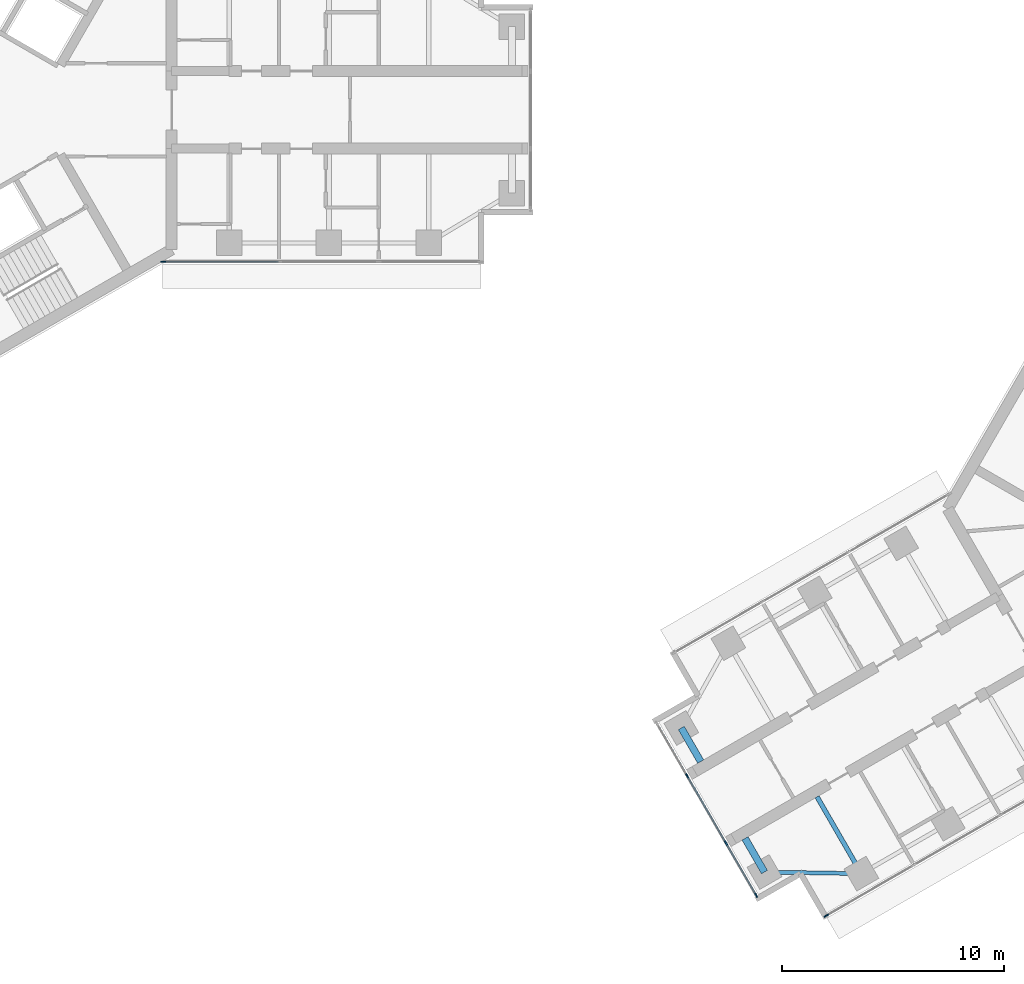
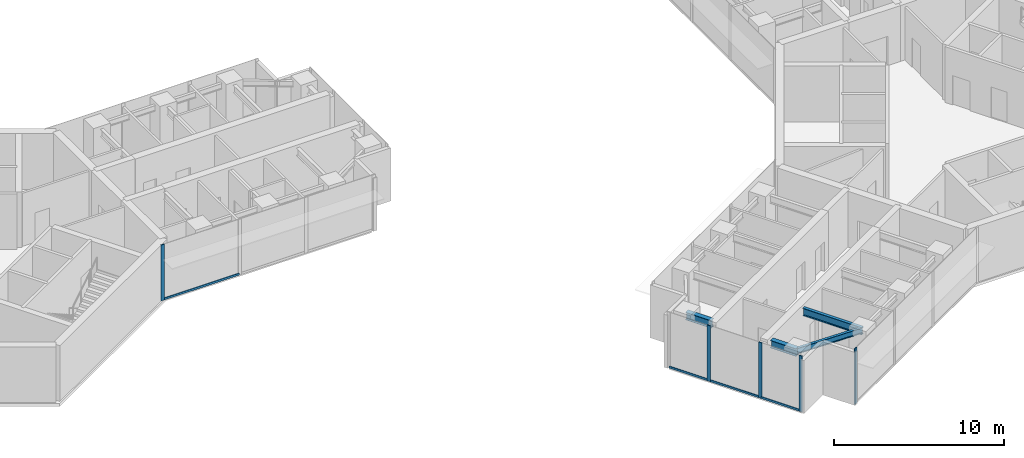
# One storey, part 2 of 17: 9 members, 4 beams, 3 elements without a shape of their own.
"""IFC4 building model written with IfcOpenShell, lengths in metres."""

import ifcopenshell
import ifcopenshell.guid

model = None  # the IFC model being written
_history = None  # IfcOwnerHistory: only IFC2X3 demands one
_inside = {}  # id of a spatial element -> (the spatial element, [elements in it])
_under = {}  # id of a project, library or spatial element -> (it, [spatial elements below it])
_declared = {}  # id of a project -> (the project, [libraries it declares])
_typed = {}  # id of a type object -> (the type object, [elements of that type])
_made_of = {}  # id of a material, layer set ... -> (it, [elements and type objects made of it])


def new_model(schema):
    """Start an empty IFC model of exactly this schema.

    Asked for "IFC4X3", IfcOpenShell would pick the latest addendum, in which some entities
    have other attributes; the version numbers below select the first issue.
    IFC2X3 requires an IfcOwnerHistory on every rooted entity: one is made here for all.
    """
    global model, _history
    if schema == "IFC4X3":
        model = ifcopenshell.file(schema_version=(4, 3, 0, 0))
    else:
        model = ifcopenshell.file(schema=schema)
    _inside.clear()
    _under.clear()
    _declared.clear()
    _typed.clear()
    _made_of.clear()
    _history = None
    if model.schema == "IFC2X3":
        org = make("IfcOrganization", Name="unknown")
        user = make(
            "IfcPersonAndOrganization",
            ThePerson=make("IfcPerson", FamilyName="unknown"),
            TheOrganization=org,
        )
        app = make(
            "IfcApplication",
            ApplicationDeveloper=org,
            Version="unknown",
            ApplicationFullName="unknown",
            ApplicationIdentifier="unknown",
        )
        _history = make(
            "IfcOwnerHistory",
            OwningUser=user,
            OwningApplication=app,
            ChangeAction="ADDED",
            CreationDate=0,
        )
    return model


def make(cls, **values):
    """One entity of the class cls with the attributes given. An attribute that is None is left unset."""
    return model.create_entity(
        cls, **{name: value for name, value in values.items() if value is not None}
    )


def rooted(cls, **values):
    """An entity with a GlobalId (a new one), such as an element, a storey or a relation."""
    return make(cls, GlobalId=ifcopenshell.guid.new(), OwnerHistory=_history, **values)


def si_unit(unit_type, name, prefix=None):
    """IfcSIUnit, for example si_unit("LENGTHUNIT", "METRE", prefix="MILLI")."""
    return make("IfcSIUnit", UnitType=unit_type, Prefix=prefix, Name=name)


def assignment(units):
    """IfcUnitAssignment: the units of a project."""
    return None if units is None else make("IfcUnitAssignment", Units=units)


def point(xyz):
    """IfcCartesianPoint."""
    return None if xyz is None else make("IfcCartesianPoint", Coordinates=xyz)


def direction(xyz):
    """IfcDirection."""
    return None if xyz is None else make("IfcDirection", DirectionRatios=xyz)


def frame(location, z_axis=None, x_axis=None):
    """IfcAxis2Placement3D, a coordinate frame: its origin and axes. An axis left out is left unset."""
    return make(
        "IfcAxis2Placement3D",
        Location=point(location),
        Axis=direction(z_axis),
        RefDirection=direction(x_axis),
    )


def frame_2d(location, x_axis=None):
    """IfcAxis2Placement2D, a coordinate frame in the plane: its origin and x axis."""
    return make(
        "IfcAxis2Placement2D", Location=point(location), RefDirection=direction(x_axis)
    )


def origin():
    """The frame at (0, 0, 0) with its axes left unset."""
    return frame((0.0, 0.0, 0.0))


def origin_2d():
    """The frame at (0, 0) in the plane with its x axis left unset."""
    return frame_2d((0.0, 0.0))


def place(relative_to, where):
    """IfcLocalPlacement: puts the frame where relative to a parent placement (None: the world)."""
    return make(
        "IfcLocalPlacement", PlacementRelTo=relative_to, RelativePlacement=where
    )


def context(
    kind, dimensions, precision=None, world=None, true_north=None, identifier=None
):
    """IfcGeometricRepresentationContext, for example the 3D "Model" context."""
    return make(
        "IfcGeometricRepresentationContext",
        ContextIdentifier=identifier,
        ContextType=kind,
        CoordinateSpaceDimension=dimensions,
        Precision=precision,
        WorldCoordinateSystem=world,
        TrueNorth=true_north,
    )


def subcontext(parent, identifier, kind, view, scale=None):
    """IfcGeometricRepresentationSubContext, for example "Body" below "Model"."""
    return make(
        "IfcGeometricRepresentationSubContext",
        ContextIdentifier=identifier,
        ContextType=kind,
        ParentContext=parent,
        TargetScale=scale,
        TargetView=view,
    )


def project(units=None, contexts=None):
    """IfcProject with its units and contexts."""
    return rooted(
        "IfcProject",
        Name="project",
        RepresentationContexts=contexts,
        UnitsInContext=assignment(units),
    )


def spatial(cls, under=None, at=None, **own):
    """A site, building, storey or space (cls), placed at a placement, below another one or the project."""
    s = rooted(cls, ObjectPlacement=at, **own)
    if under is not None:
        _under.setdefault(under.id(), (under, []))[1].append(s)
    return s


def profile(cls, at=None, kind="AREA", **sizes):
    """A parametric profile (cls). Its sizes go by their IFC names, for example OverallWidth=200.0."""
    return make(cls, ProfileType=kind, Position=at, **sizes)


def rectangle(**sizes):
    """IfcRectangleProfileDef."""
    return profile("IfcRectangleProfileDef", **sizes)


def i_section(**sizes):
    """IfcIShapeProfileDef."""
    return profile("IfcIShapeProfileDef", **sizes)


def extrude(swept, where, along, depth):
    """IfcExtrudedAreaSolid: the profile swept, set in the frame where, extruded along a direction by depth."""
    return make(
        "IfcExtrudedAreaSolid",
        SweptArea=swept,
        Position=where,
        ExtrudedDirection=direction(along),
        Depth=depth,
    )


def shape(context_of_items, identifier, shape_type, items):
    """IfcShapeRepresentation: the items that make up one representation, for example the "Body"."""
    return make(
        "IfcShapeRepresentation",
        ContextOfItems=context_of_items,
        RepresentationIdentifier=identifier,
        RepresentationType=shape_type,
        Items=items,
    )


def material(Name=None, Category=None):
    """IfcMaterial."""
    return make("IfcMaterial", Name=Name, Category=Category)


def material_profile(
    of_material, cross_section, Name=None, Category=None, Priority=None
):
    """IfcMaterialProfile: a cross section and its material."""
    return make(
        "IfcMaterialProfile",
        Name=Name,
        Material=of_material,
        Profile=cross_section,
        Priority=Priority,
        Category=Category,
    )


def profile_set(profiles, Name=None, composite=None):
    """IfcMaterialProfileSet."""
    return make(
        "IfcMaterialProfileSet",
        Name=Name,
        MaterialProfiles=profiles,
        CompositeProfile=composite,
    )


def made_of(thing, what):
    """Note that an element or type object is made of a material, layer set ...; save() writes the relation."""
    if what is not None:
        _made_of.setdefault(what.id(), (what, []))[1].append(thing)
    return thing


def type_object(cls, material=None, **own):
    """A type object (cls), such as IfcWallType, which elements share."""
    return made_of(rooted(cls, **own), material)


def element(
    cls,
    number,
    at=None,
    inside=None,
    cuts=None,
    type_object=None,
    material=None,
    context=None,
    identifier="Body",
    shape_type=None,
    held_by="IfcProductDefinitionShape",
    body=None,
    shapes=None,
    **own,
):
    """One element of the class cls, such as IfcWall. Its Tag is "e" and its number.

    at: its placement. inside: the storey or other place that contains it. cuts: it is an
    opening in that element (IfcRelVoidsElement). A single representation is given by context,
    identifier, shape_type and body (its items); several are given by shapes. held_by: the class
    of the entity that holds the representations. save() writes the other relations.
    """
    e = rooted(cls, Tag="e%d" % number, ObjectPlacement=at, **own)
    if body is not None:
        shapes = [shape(context, identifier, shape_type, body)]
    if shapes is not None:
        e.Representation = make(held_by, Representations=shapes)
    if inside is not None:
        _inside.setdefault(inside.id(), (inside, []))[1].append(e)
    if cuts is not None:
        rooted(
            "IfcRelVoidsElement", RelatingBuildingElement=cuts, RelatedOpeningElement=e
        )
    if type_object is not None:
        _typed.setdefault(type_object.id(), (type_object, []))[1].append(e)
    return made_of(e, material)


def aggregate(whole, parts):
    """IfcRelAggregates: a whole, such as a stair, and the parts it consists of."""
    return rooted("IfcRelAggregates", RelatingObject=whole, RelatedObjects=parts)


def save(model, path):
    """Write the relations noted so far, then the file.

    IfcRelAggregates (storeys below a building ...), IfcRelContainedInSpatialStructure (elements
    in a storey), IfcRelDefinesByType, IfcRelAssociatesMaterial and IfcRelDeclares: one each for
    every whole, place, type object, material and project.
    """
    for whole, parts in _under.values():
        aggregate(whole, parts)
    for where, things in _inside.values():
        rooted(
            "IfcRelContainedInSpatialStructure",
            RelatedElements=things,
            RelatingStructure=where,
        )
    for kind, things in _typed.values():
        rooted("IfcRelDefinesByType", RelatedObjects=things, RelatingType=kind)
    for what, things in _made_of.values():
        rooted("IfcRelAssociatesMaterial", RelatedObjects=things, RelatingMaterial=what)
    for by, libraries in _declared.values():
        rooted("IfcRelDeclares", RelatingContext=by, RelatedDefinitions=libraries)
    model.write(path)


model = new_model("IFC4")

# Units and contexts
model_context = context("Model", 3, precision=1e-05, world=origin(), true_north=direction((0.0, 1.0)))
body_context = subcontext(model_context, "Body", "Model", "MODEL_VIEW")
ifc_project = project(units=[si_unit("LENGTHUNIT", "METRE"), si_unit("AREAUNIT", "SQUARE_METRE"), si_unit("VOLUMEUNIT", "CUBIC_METRE"), si_unit("PLANEANGLEUNIT", "RADIAN"), si_unit("MASSUNIT", "GRAM", prefix="KILO")], contexts=[model_context])

# Site, building, storey
site_placement = place(None, origin())
site = spatial("IfcSite", under=ifc_project, at=site_placement, CompositionType="ELEMENT")
building_placement = place(site_placement, origin())
building = spatial("IfcBuilding", under=site, at=building_placement, Name="Upepo Twin Towers", CompositionType="ELEMENT")
storey_placement = place(building_placement, frame((0.0, 0.0, 214.5)))
storey = spatial("IfcBuildingStorey", under=building, at=storey_placement, Name="L52", CompositionType="ELEMENT", Elevation=214.5)

# Beams
ifc_material_1 = material(Name="Steel S355", Category="steel")
ifc_material_profile_1 = material_profile(ifc_material_1, i_section(OverallWidth=0.177978515625, OverallDepth=0.406494140625, WebThickness=0.0078125, FlangeThickness=0.0126953125, FilletRadius=0.01025390625, at=origin_2d()), Name="UB 406x178x60")
ifc_profile_set_1 = profile_set([ifc_material_profile_1], Name="Steel S355")
beam_type_1 = type_object("IfcBeamType", Name="Beam UB 406x178x60", PredefinedType="BEAM", material=ifc_profile_set_1)
beam_1_placement = place(storey_placement, frame((42.014404296875, -34.446044921875, 3.5966796875), z_axis=(-0.999858804832, 0.016803880528, 0.0), x_axis=(-0.016803880528, -0.999858804832, 0.0)))
element("IfcBeam", 1, at=beam_1_placement, inside=storey, type_object=beam_type_1, Name="T2 nose edge beam BL", PredefinedType="BEAM", context=body_context, shape_type="SweptSolid", body=[
    extrude(i_section(OverallWidth=0.177978515625, OverallDepth=0.406494140625, WebThickness=0.0078125, FlangeThickness=0.0126953125, FilletRadius=0.01025390625, at=origin_2d()), origin(), (0.0, 0.0, 1.0), 4.373291015625),
])
ifc_material_2 = material(Name="Steel S355", Category="steel")
ifc_material_profile_2 = material_profile(ifc_material_2, i_section(OverallWidth=0.209228515625, OverallDepth=0.533203125, WebThickness=0.010009765625, FlangeThickness=0.015625, FilletRadius=0.0126953125, at=origin_2d()), Name="UB 533x210x92")
ifc_profile_set_2 = profile_set([ifc_material_profile_2], Name="Steel S355")
beam_type_2 = type_object("IfcBeamType", Name="Beam UB 533x210x92", PredefinedType="BEAM", material=ifc_profile_set_2)
beam_2_placement = place(storey_placement, frame((42.014404296875, -34.446044921875, 3.533447265625), z_axis=(-0.49999894854, 0.866026010844, 0.0), x_axis=(-0.866026010844, -0.49999894854, 0.0)))
element("IfcBeam", 2, at=beam_2_placement, inside=storey, type_object=beam_type_2, Name="T2 girder BL at 22.5", PredefinedType="BEAM", context=body_context, shape_type="SweptSolid", body=[
    extrude(i_section(OverallWidth=0.209228515625, OverallDepth=0.533203125, WebThickness=0.010009765625, FlangeThickness=0.015625, FilletRadius=0.0126953125, at=origin_2d()), origin(), (0.0, 0.0, 1.0), 4.0),
])
ifc_material_3 = material(Name="Steel S355", Category="steel")
ifc_material_profile_3 = material_profile(ifc_material_3, i_section(OverallWidth=0.31201171875, OverallDepth=0.54345703125, WebThickness=0.0126953125, FlangeThickness=0.020263671875, FilletRadius=0.0126953125, at=origin_2d()), Name="UB 533x312x150")
ifc_profile_set_3 = profile_set([ifc_material_profile_3], Name="Steel S355")
beam_type_3 = type_object("IfcBeamType", Name="Beam UB 533x312x150", PredefinedType="BEAM", material=ifc_profile_set_3)
for number, where, z_axis, x_axis, name in (
    (3, (37.641845703125, -34.37255859375, 3.5283203125), (-0.499980071345, 0.866036909293, 0.0), (-0.866036909293, -0.499980071345, 0.0), "T2 nose beam BL"),
    (4, (33.891845703125, -27.87744140625, 3.5283203125), (0.499980071345, -0.866036909293, 0.0), (0.866036909293, 0.499980071345, 0.0), "T2 nose beam BR"),
):
    element("IfcBeam", number, at=place(storey_placement, frame(where, z_axis=z_axis, x_axis=x_axis)), inside=storey, type_object=beam_type_3, Name=name, PredefinedType="BEAM", context=body_context, shape_type="SweptSolid", body=[
        extrude(i_section(OverallWidth=0.31201171875, OverallDepth=0.54345703125, WebThickness=0.0126953125, FlangeThickness=0.020263671875, FilletRadius=0.0126953125, at=origin_2d()), origin(), (0.0, 0.0, 1.0), 1.75),
    ])

# Curtain wall, member
ifc_material_4 = material(Name="Aluminium and fritted glass", Category="aluminium")
curtain_wall_type = type_object("IfcCurtainWallType", Name="Tower curtain wall TW3, fritted glass", PredefinedType="NOTDEFINED", material=ifc_material_4)
curtain_wall_1_placement = place(storey_placement, origin())
curtain_wall_1 = element("IfcCurtainWall", 5, at=curtain_wall_1_placement, inside=storey, type_object=curtain_wall_type, Name="T1 L52 wing A flank R curtain wall", PredefinedType="NOTDEFINED")
ifc_material_5 = material(Name="Aluminium mullion", Category="aluminium")
ifc_material_profile_4 = material_profile(ifc_material_5, rectangle(XDim=0.06494140625, YDim=0.22509765625, at=origin_2d()), Name="MULLION 65x225")
ifc_profile_set_4 = profile_set([ifc_material_profile_4], Name="Aluminium mullion")
member_type_1 = type_object("IfcMemberType", Name="Mullion 65x225 TW3", PredefinedType="MULLION", material=ifc_profile_set_4)
member_1_placement = place(storey_placement, frame((10.51953125, -6.85009765625, 0.0), z_axis=(0.0, 0.0, 1.0), x_axis=(0.0, -1.0, 0.0)))
member_1 = element("IfcMember", 6, at=member_1_placement, type_object=member_type_1, Name="T1 L52 wing A flank R curtain wall mullion 4", PredefinedType="MULLION", context=body_context, shape_type="SweptSolid", body=[
    extrude(rectangle(XDim=0.06494140625, YDim=0.22509765625, at=origin_2d()), origin(), (0.0, 0.0, 1.0), 4.0),
])

curtain_wall_2_placement = place(storey_placement, origin())
curtain_wall_2 = element("IfcCurtainWall", 7, at=curtain_wall_2_placement, inside=storey, type_object=curtain_wall_type, Name="T2 L52 wing B flank L curtain wall", PredefinedType="NOTDEFINED")
member_2_placement = place(storey_placement, frame((40.432373046875, -36.341064453125, 0.0), z_axis=(0.0, 0.0, 1.0), x_axis=(0.500000026527, -0.866025388469, 0.0)))
member_2 = element("IfcMember", 8, at=member_2_placement, type_object=member_type_1, Name="T2 L52 wing B flank L curtain wall mullion 4", PredefinedType="MULLION", context=body_context, shape_type="SweptSolid", body=[
    extrude(rectangle(XDim=0.06494140625, YDim=0.22509765625, at=origin_2d()), origin(), (0.0, 0.0, 1.0), 4.0),
])
aggregate(curtain_wall_2, [member_2])

# Curtain wall, members
curtain_wall_3_placement = place(storey_placement, origin())
curtain_wall_3 = element("IfcCurtainWall", 9, at=curtain_wall_3_placement, inside=storey, type_object=curtain_wall_type, Name="T2 L52 wing B nose curtain wall", PredefinedType="NOTDEFINED")
member_3_placement = place(storey_placement, frame((34.15576171875, -30.034423828125, 0.0), z_axis=(0.0, 0.0, 1.0), x_axis=(0.866025386174, 0.500000030502, 0.0)))
member_3 = element("IfcMember", 10, at=member_3_placement, type_object=member_type_1, Name="T2 L52 wing B nose curtain wall mullion 2", PredefinedType="MULLION", context=body_context, shape_type="SweptSolid", body=[
    extrude(rectangle(XDim=0.06494140625, YDim=0.22509765625, at=origin_2d()), origin(), (0.0, 0.0, 1.0), 4.0),
])
member_4_placement = place(storey_placement, frame((35.90576171875, -33.0654296875, 0.0), z_axis=(0.0, 0.0, 1.0), x_axis=(0.866025386174, 0.500000030502, 0.0)))
member_4 = element("IfcMember", 11, at=member_4_placement, type_object=member_type_1, Name="T2 L52 wing B nose curtain wall mullion 3", PredefinedType="MULLION", context=body_context, shape_type="SweptSolid", body=[
    extrude(rectangle(XDim=0.06494140625, YDim=0.22509765625, at=origin_2d()), origin(), (0.0, 0.0, 1.0), 4.0),
])
member_5_placement = place(storey_placement, frame((37.264404296875, -35.4189453125, 0.0), z_axis=(0.0, 0.0, 1.0), x_axis=(0.866025386174, 0.500000030502, 0.0)))
member_5 = element("IfcMember", 12, at=member_5_placement, type_object=member_type_1, Name="T2 L52 wing B nose curtain wall mullion 4", PredefinedType="MULLION", context=body_context, shape_type="SweptSolid", body=[
    extrude(rectangle(XDim=0.06494140625, YDim=0.22509765625, at=origin_2d()), origin(), (0.0, 0.0, 1.0), 4.0),
])

# Member
ifc_material_6 = material(Name="Aluminium transom", Category="aluminium")
ifc_material_profile_5 = material_profile(ifc_material_6, rectangle(XDim=0.06494140625, YDim=0.14990234375, at=origin_2d()), Name="TRANSOM 65x150")
ifc_profile_set_5 = profile_set([ifc_material_profile_5], Name="Aluminium transom")
member_type_2 = type_object("IfcMemberType", Name="Transom 65x150 TW3", PredefinedType="USERDEFINED", material=ifc_profile_set_5)
member_6_placement = place(storey_placement, frame((15.717529296875, -6.85009765625, 0.074951171875), z_axis=(-1.0, 0.0, 0.0), x_axis=(0.0, -1.0, 0.0)))
member_6 = element("IfcMember", 13, at=member_6_placement, type_object=member_type_2, Name="T1 L52 wing A flank R curtain wall transom 3", ObjectType="TRANSOM", PredefinedType="USERDEFINED", context=body_context, shape_type="SweptSolid", body=[
    extrude(rectangle(XDim=0.06494140625, YDim=0.14990234375, at=origin_2d()), origin(), (0.0, 0.0, 1.0), 5.16552734375),
])

aggregate(curtain_wall_1, [member_1, member_6])

member_7_placement = place(storey_placement, frame((32.813232421875, -27.709228515625, 0.074951171875), z_axis=(0.499980071345, -0.866036909293, 0.0), x_axis=(0.866036909293, 0.499980071345, 0.0)))
member_7 = element("IfcMember", 14, at=member_7_placement, type_object=member_type_2, Name="T2 L52 wing B nose curtain wall transom 1", ObjectType="TRANSOM", PredefinedType="USERDEFINED", context=body_context, shape_type="SweptSolid", body=[
    extrude(rectangle(XDim=0.06494140625, YDim=0.14990234375, at=origin_2d()), origin(), (0.0, 0.0, 1.0), 2.65234375),
])

member_8_placement = place(storey_placement, frame((34.171875, -30.0625, 0.074951171875), z_axis=(0.499999305434, -0.866025804792, 0.0), x_axis=(0.866025804792, 0.499999305434, 0.0)))
member_8 = element("IfcMember", 15, at=member_8_placement, type_object=member_type_2, Name="T2 L52 wing B nose curtain wall transom 2", ObjectType="TRANSOM", PredefinedType="USERDEFINED", context=body_context, shape_type="SweptSolid", body=[
    extrude(rectangle(XDim=0.06494140625, YDim=0.14990234375, at=origin_2d()), origin(), (0.0, 0.0, 1.0), 3.43505859375),
])

member_9_placement = place(storey_placement, frame((35.921875, -33.09375, 0.074951171875), z_axis=(0.500049101008, -0.865997053448, 0.0), x_axis=(0.865997053448, 0.500049101008, 0.0)))
member_9 = element("IfcMember", 16, at=member_9_placement, type_object=member_type_2, Name="T2 L52 wing B nose curtain wall transom 3", ObjectType="TRANSOM", PredefinedType="USERDEFINED", context=body_context, shape_type="SweptSolid", body=[
    extrude(rectangle(XDim=0.06494140625, YDim=0.14990234375, at=origin_2d()), origin(), (0.0, 0.0, 1.0), 2.652587890625),
])

aggregate(curtain_wall_3, [member_3, member_4, member_5, member_7, member_8, member_9])

save(model, "model.ifc")
